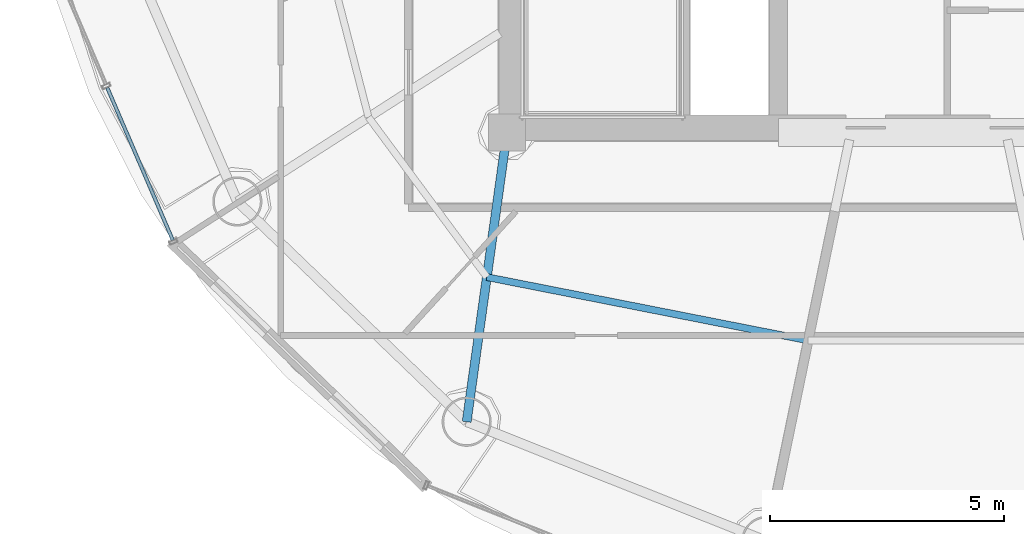
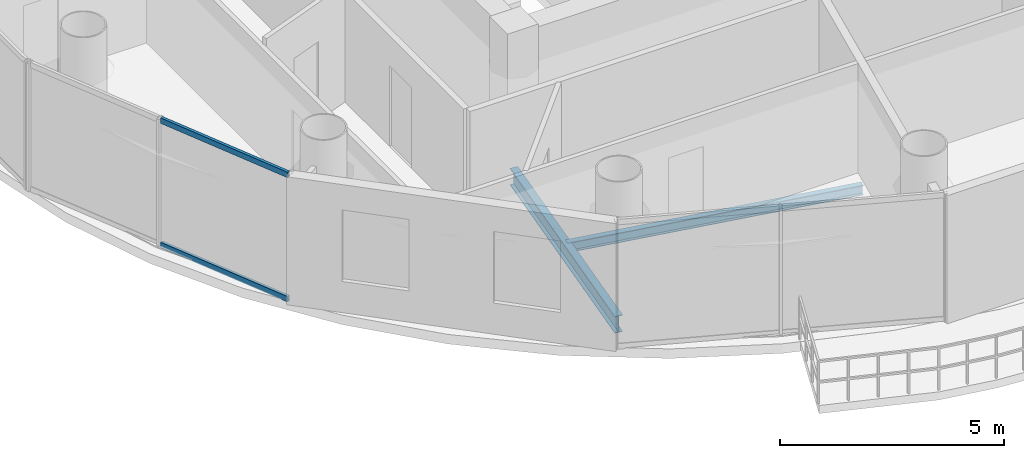
# One storey, part 3 of 22: 2 beams, 2 members, 1 element without a shape of its own.
"""IFC4 building model written with IfcOpenShell, lengths in metres."""

import ifcopenshell
import ifcopenshell.guid

model = None  # the IFC model being written
_history = None  # IfcOwnerHistory: only IFC2X3 demands one
_inside = {}  # id of a spatial element -> (the spatial element, [elements in it])
_under = {}  # id of a project, library or spatial element -> (it, [spatial elements below it])
_declared = {}  # id of a project -> (the project, [libraries it declares])
_typed = {}  # id of a type object -> (the type object, [elements of that type])
_made_of = {}  # id of a material, layer set ... -> (it, [elements and type objects made of it])


def new_model(schema):
    """Start an empty IFC model of exactly this schema.

    Asked for "IFC4X3", IfcOpenShell would pick the latest addendum, in which some entities
    have other attributes; the version numbers below select the first issue.
    IFC2X3 requires an IfcOwnerHistory on every rooted entity: one is made here for all.
    """
    global model, _history
    if schema == "IFC4X3":
        model = ifcopenshell.file(schema_version=(4, 3, 0, 0))
    else:
        model = ifcopenshell.file(schema=schema)
    _inside.clear()
    _under.clear()
    _declared.clear()
    _typed.clear()
    _made_of.clear()
    _history = None
    if model.schema == "IFC2X3":
        org = make("IfcOrganization", Name="unknown")
        user = make(
            "IfcPersonAndOrganization",
            ThePerson=make("IfcPerson", FamilyName="unknown"),
            TheOrganization=org,
        )
        app = make(
            "IfcApplication",
            ApplicationDeveloper=org,
            Version="unknown",
            ApplicationFullName="unknown",
            ApplicationIdentifier="unknown",
        )
        _history = make(
            "IfcOwnerHistory",
            OwningUser=user,
            OwningApplication=app,
            ChangeAction="ADDED",
            CreationDate=0,
        )
    return model


def make(cls, **values):
    """One entity of the class cls with the attributes given. An attribute that is None is left unset."""
    return model.create_entity(
        cls, **{name: value for name, value in values.items() if value is not None}
    )


def rooted(cls, **values):
    """An entity with a GlobalId (a new one), such as an element, a storey or a relation."""
    return make(cls, GlobalId=ifcopenshell.guid.new(), OwnerHistory=_history, **values)


def si_unit(unit_type, name, prefix=None):
    """IfcSIUnit, for example si_unit("LENGTHUNIT", "METRE", prefix="MILLI")."""
    return make("IfcSIUnit", UnitType=unit_type, Prefix=prefix, Name=name)


def assignment(units):
    """IfcUnitAssignment: the units of a project."""
    return None if units is None else make("IfcUnitAssignment", Units=units)


def point(xyz):
    """IfcCartesianPoint."""
    return None if xyz is None else make("IfcCartesianPoint", Coordinates=xyz)


def direction(xyz):
    """IfcDirection."""
    return None if xyz is None else make("IfcDirection", DirectionRatios=xyz)


def frame(location, z_axis=None, x_axis=None):
    """IfcAxis2Placement3D, a coordinate frame: its origin and axes. An axis left out is left unset."""
    return make(
        "IfcAxis2Placement3D",
        Location=point(location),
        Axis=direction(z_axis),
        RefDirection=direction(x_axis),
    )


def frame_2d(location, x_axis=None):
    """IfcAxis2Placement2D, a coordinate frame in the plane: its origin and x axis."""
    return make(
        "IfcAxis2Placement2D", Location=point(location), RefDirection=direction(x_axis)
    )


def origin():
    """The frame at (0, 0, 0) with its axes left unset."""
    return frame((0.0, 0.0, 0.0))


def origin_2d():
    """The frame at (0, 0) in the plane with its x axis left unset."""
    return frame_2d((0.0, 0.0))


def place(relative_to, where):
    """IfcLocalPlacement: puts the frame where relative to a parent placement (None: the world)."""
    return make(
        "IfcLocalPlacement", PlacementRelTo=relative_to, RelativePlacement=where
    )


def context(
    kind, dimensions, precision=None, world=None, true_north=None, identifier=None
):
    """IfcGeometricRepresentationContext, for example the 3D "Model" context."""
    return make(
        "IfcGeometricRepresentationContext",
        ContextIdentifier=identifier,
        ContextType=kind,
        CoordinateSpaceDimension=dimensions,
        Precision=precision,
        WorldCoordinateSystem=world,
        TrueNorth=true_north,
    )


def subcontext(parent, identifier, kind, view, scale=None):
    """IfcGeometricRepresentationSubContext, for example "Body" below "Model"."""
    return make(
        "IfcGeometricRepresentationSubContext",
        ContextIdentifier=identifier,
        ContextType=kind,
        ParentContext=parent,
        TargetScale=scale,
        TargetView=view,
    )


def project(units=None, contexts=None):
    """IfcProject with its units and contexts."""
    return rooted(
        "IfcProject",
        Name="project",
        RepresentationContexts=contexts,
        UnitsInContext=assignment(units),
    )


def spatial(cls, under=None, at=None, **own):
    """A site, building, storey or space (cls), placed at a placement, below another one or the project."""
    s = rooted(cls, ObjectPlacement=at, **own)
    if under is not None:
        _under.setdefault(under.id(), (under, []))[1].append(s)
    return s


def profile(cls, at=None, kind="AREA", **sizes):
    """A parametric profile (cls). Its sizes go by their IFC names, for example OverallWidth=200.0."""
    return make(cls, ProfileType=kind, Position=at, **sizes)


def hollow_rectangle(**sizes):
    """IfcRectangleHollowProfileDef."""
    return profile("IfcRectangleHollowProfileDef", **sizes)


def i_section(**sizes):
    """IfcIShapeProfileDef."""
    return profile("IfcIShapeProfileDef", **sizes)


def extrude(swept, where, along, depth):
    """IfcExtrudedAreaSolid: the profile swept, set in the frame where, extruded along a direction by depth."""
    return make(
        "IfcExtrudedAreaSolid",
        SweptArea=swept,
        Position=where,
        ExtrudedDirection=direction(along),
        Depth=depth,
    )


def shape(context_of_items, identifier, shape_type, items):
    """IfcShapeRepresentation: the items that make up one representation, for example the "Body"."""
    return make(
        "IfcShapeRepresentation",
        ContextOfItems=context_of_items,
        RepresentationIdentifier=identifier,
        RepresentationType=shape_type,
        Items=items,
    )


def source(mapping_origin, context_of_items, identifier, shape_type, items):
    """IfcRepresentationMap: a shape defined once, which mapped items show again and again."""
    return make(
        "IfcRepresentationMap",
        MappingOrigin=mapping_origin,
        MappedRepresentation=shape(context_of_items, identifier, shape_type, items),
    )


def transform(
    local_origin,
    x_axis=None,
    y_axis=None,
    z_axis=None,
    scale=None,
    scale2=None,
    scale3=None,
    uniform=True,
):
    """IfcCartesianTransformationOperator3D, or its non-uniform kind. x_axis, y_axis, z_axis: its Axis1, 2, 3."""
    if uniform:
        return make(
            "IfcCartesianTransformationOperator3D",
            Axis1=direction(x_axis),
            Axis2=direction(y_axis),
            LocalOrigin=point(local_origin),
            Scale=scale,
            Axis3=direction(z_axis),
        )
    return make(
        "IfcCartesianTransformationOperator3DnonUniform",
        Axis1=direction(x_axis),
        Axis2=direction(y_axis),
        LocalOrigin=point(local_origin),
        Scale=scale,
        Axis3=direction(z_axis),
        Scale2=scale2,
        Scale3=scale3,
    )


def mapped(mapping_source, mapping_target):
    """IfcMappedItem: shows the shape of a source again, moved by a transform."""
    return make(
        "IfcMappedItem", MappingSource=mapping_source, MappingTarget=mapping_target
    )


def material(Name=None, Category=None):
    """IfcMaterial."""
    return make("IfcMaterial", Name=Name, Category=Category)


def material_profile(
    of_material, cross_section, Name=None, Category=None, Priority=None
):
    """IfcMaterialProfile: a cross section and its material."""
    return make(
        "IfcMaterialProfile",
        Name=Name,
        Material=of_material,
        Profile=cross_section,
        Priority=Priority,
        Category=Category,
    )


def profile_set(profiles, Name=None, composite=None):
    """IfcMaterialProfileSet."""
    return make(
        "IfcMaterialProfileSet",
        Name=Name,
        MaterialProfiles=profiles,
        CompositeProfile=composite,
    )


def made_of(thing, what):
    """Note that an element or type object is made of a material, layer set ...; save() writes the relation."""
    if what is not None:
        _made_of.setdefault(what.id(), (what, []))[1].append(thing)
    return thing


def type_object(cls, material=None, **own):
    """A type object (cls), such as IfcWallType, which elements share."""
    return made_of(rooted(cls, **own), material)


def element(
    cls,
    number,
    at=None,
    inside=None,
    cuts=None,
    type_object=None,
    material=None,
    context=None,
    identifier="Body",
    shape_type=None,
    held_by="IfcProductDefinitionShape",
    body=None,
    shapes=None,
    **own,
):
    """One element of the class cls, such as IfcWall. Its Tag is "e" and its number.

    at: its placement. inside: the storey or other place that contains it. cuts: it is an
    opening in that element (IfcRelVoidsElement). A single representation is given by context,
    identifier, shape_type and body (its items); several are given by shapes. held_by: the class
    of the entity that holds the representations. save() writes the other relations.
    """
    e = rooted(cls, Tag="e%d" % number, ObjectPlacement=at, **own)
    if body is not None:
        shapes = [shape(context, identifier, shape_type, body)]
    if shapes is not None:
        e.Representation = make(held_by, Representations=shapes)
    if inside is not None:
        _inside.setdefault(inside.id(), (inside, []))[1].append(e)
    if cuts is not None:
        rooted(
            "IfcRelVoidsElement", RelatingBuildingElement=cuts, RelatedOpeningElement=e
        )
    if type_object is not None:
        _typed.setdefault(type_object.id(), (type_object, []))[1].append(e)
    return made_of(e, material)


def aggregate(whole, parts):
    """IfcRelAggregates: a whole, such as a stair, and the parts it consists of."""
    return rooted("IfcRelAggregates", RelatingObject=whole, RelatedObjects=parts)


def save(model, path):
    """Write the relations noted so far, then the file.

    IfcRelAggregates (storeys below a building ...), IfcRelContainedInSpatialStructure (elements
    in a storey), IfcRelDefinesByType, IfcRelAssociatesMaterial and IfcRelDeclares: one each for
    every whole, place, type object, material and project.
    """
    for whole, parts in _under.values():
        aggregate(whole, parts)
    for where, things in _inside.values():
        rooted(
            "IfcRelContainedInSpatialStructure",
            RelatedElements=things,
            RelatingStructure=where,
        )
    for kind, things in _typed.values():
        rooted("IfcRelDefinesByType", RelatedObjects=things, RelatingType=kind)
    for what, things in _made_of.values():
        rooted("IfcRelAssociatesMaterial", RelatedObjects=things, RelatingMaterial=what)
    for by, libraries in _declared.values():
        rooted("IfcRelDeclares", RelatingContext=by, RelatedDefinitions=libraries)
    model.write(path)


model = new_model("IFC4")

# Units and contexts
model_context = context("Model", 3, precision=1e-05, world=origin(), true_north=direction((-0.2419218956, 0.970295726276)))
body_context = subcontext(model_context, "Body", "Model", "MODEL_VIEW")
ifc_project = project(units=[si_unit("LENGTHUNIT", "METRE"), si_unit("AREAUNIT", "SQUARE_METRE"), si_unit("VOLUMEUNIT", "CUBIC_METRE"), si_unit("PLANEANGLEUNIT", "RADIAN"), si_unit("MASSUNIT", "GRAM", prefix="KILO")], contexts=[model_context])

# Site, building, storey
site_placement = place(None, origin())
site = spatial("IfcSite", under=ifc_project, at=site_placement, CompositionType="ELEMENT")
building_placement = place(site_placement, origin())
building = spatial("IfcBuilding", under=site, at=building_placement, Name="Cobrevalo Terracotta Tower", CompositionType="ELEMENT")
storey_placement = place(building_placement, frame((0.0, 0.0, 289.449951171875)))
storey = spatial("IfcBuildingStorey", under=building, at=storey_placement, Name="L76", CompositionType="ELEMENT", Elevation=289.449951171875)

# Beams
ifc_material_1 = material(Name="Steel S355", Category="steel")
ifc_material_profile_1 = material_profile(ifc_material_1, i_section(OverallWidth=0.19091796875, OverallDepth=0.4599609375, WebThickness=0.010009765625, FlangeThickness=0.01611328125, at=origin_2d()), Name="W 460x82")
ifc_profile_set_1 = profile_set([ifc_material_profile_1], Name="Steel S355")
beam_type_1 = type_object("IfcBeamType", Name="Structural Beam W 460x82 (Steel S355)", PredefinedType="BEAM", material=ifc_profile_set_1)
beam_1_placement = place(storey_placement, frame((28.138671875, 12.62353515625, -0.489990234375), z_axis=(0.138115657759, 0.990416107039, 0.0), x_axis=(-0.990416107039, 0.138115657759, 0.0)))
element("IfcBeam", 1, at=beam_1_placement, inside=storey, type_object=beam_type_1, Name="L76 radial floor girder 11", PredefinedType="BEAM", context=body_context, shape_type="SweptSolid", body=[
    extrude(i_section(OverallWidth=0.19091796875, OverallDepth=0.4599609375, WebThickness=0.010009765625, FlangeThickness=0.01611328125, at=origin_2d()), origin(), (0.0, 0.0, 1.0), 6.236328125),
])
ifc_material_profile_2 = material_profile(ifc_material_1, i_section(OverallWidth=0.14794921875, OverallDepth=0.26611328125, WebThickness=0.007568359375, FlangeThickness=0.012939453125, at=origin_2d()), Name="W 250x44.8")
ifc_profile_set_2 = profile_set([ifc_material_profile_2], Name="Steel S355")
beam_type_2 = type_object("IfcBeamType", Name="Structural Joist W 250x44.8 (Steel S355)", PredefinedType="JOIST", material=ifc_profile_set_2)
beam_2_placement = place(storey_placement, frame((28.5693359375, 15.711669921875, -0.39306640625), z_axis=(0.981145060421, -0.193272787563, 0.0), x_axis=(0.193272787563, 0.981145060421, 0.0)))
element("IfcBeam", 2, at=beam_2_placement, inside=storey, type_object=beam_type_2, Name="L76 circumferential secondary floor joist 11", PredefinedType="JOIST", context=body_context, shape_type="SweptSolid", body=[
    extrude(i_section(OverallWidth=0.14794921875, OverallDepth=0.26611328125, WebThickness=0.007568359375, FlangeThickness=0.012939453125, at=origin_2d()), origin(), (0.0, 0.0, 1.0), 6.98681640625),
])

# Curtain wall, members
ifc_material_2 = material(Name="Anodized aluminium", Category="aluminium")
curtain_wall_type = type_object("IfcCurtainWallType", Name="Upper-tower triple-glazed penthouse curtain wall CW-U3", PredefinedType="NOTDEFINED", material=ifc_material_2)
curtain_wall_placement = place(storey_placement, origin())
curtain_wall = element("IfcCurtainWall", 3, at=curtain_wall_placement, inside=storey, type_object=curtain_wall_type, Name="L76 curtain wall CW-L76-S09", PredefinedType="NOTDEFINED")
ifc_material_profile_3 = material_profile(ifc_material_2, hollow_rectangle(XDim=0.074951171875, YDim=0.14990234375, WallThickness=0.00439453125, at=origin_2d()), Name="CWT 75x150")
ifc_profile_set_3 = profile_set([ifc_material_profile_3], Name="Anodized aluminium")
member_type = type_object("IfcMemberType", Name="Tower unitised aluminium transom 75x150", PredefinedType="USERDEFINED", material=ifc_profile_set_3)
shared_shape = source(origin(), body_context, "Body", "SweptSolid", [
    extrude(hollow_rectangle(XDim=0.074951171875, YDim=0.14990234375, WallThickness=0.00439453125, at=origin_2d()), origin(), (0.0, 0.0, 1.0), 3.542724609375),
])
member_1_placement = place(storey_placement, frame((20.464111328125, 19.755859375, 0.050048828125), z_axis=(0.394809056766, -0.918763195114, 0.0), x_axis=(0.918763195114, 0.394809056766, 0.0)))
member_1 = element("IfcMember", 4, at=member_1_placement, type_object=member_type, Name="CW-L76-S09 transom B02-T1", ObjectType="TRANSOM", PredefinedType="USERDEFINED", context=body_context, shape_type="MappedRepresentation", body=[
    mapped(shared_shape, transform((0.0, 0.0, 0.0), scale=1.0)),
])
member_2_placement = place(storey_placement, frame((20.464111328125, 19.755859375, 3.43994140625), z_axis=(0.394809056766, -0.918763195114, 0.0), x_axis=(0.918763195114, 0.394809056766, 0.0)))
member_2 = element("IfcMember", 5, at=member_2_placement, type_object=member_type, Name="CW-L76-S09 transom B02-T2", ObjectType="TRANSOM", PredefinedType="USERDEFINED", context=body_context, shape_type="MappedRepresentation", body=[
    mapped(shared_shape, transform((0.0, 0.0, 0.0), scale=1.0)),
])
aggregate(curtain_wall, [member_1, member_2])

save(model, "model.ifc")
